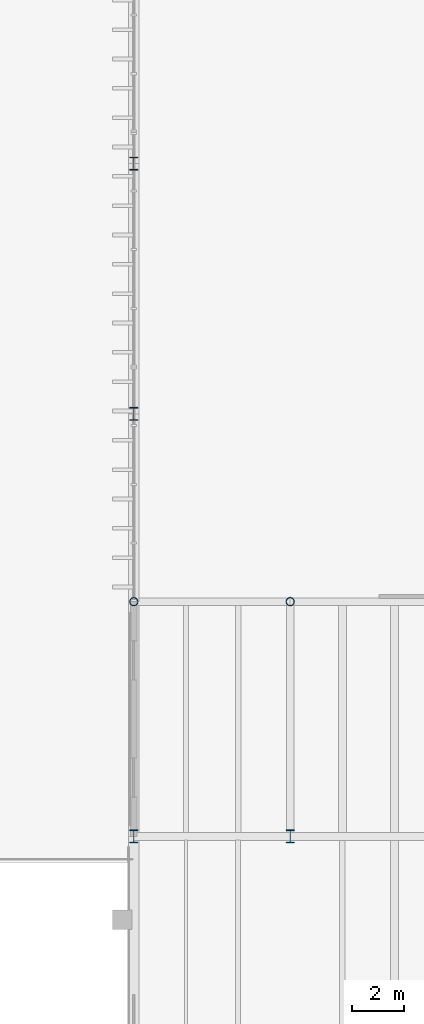
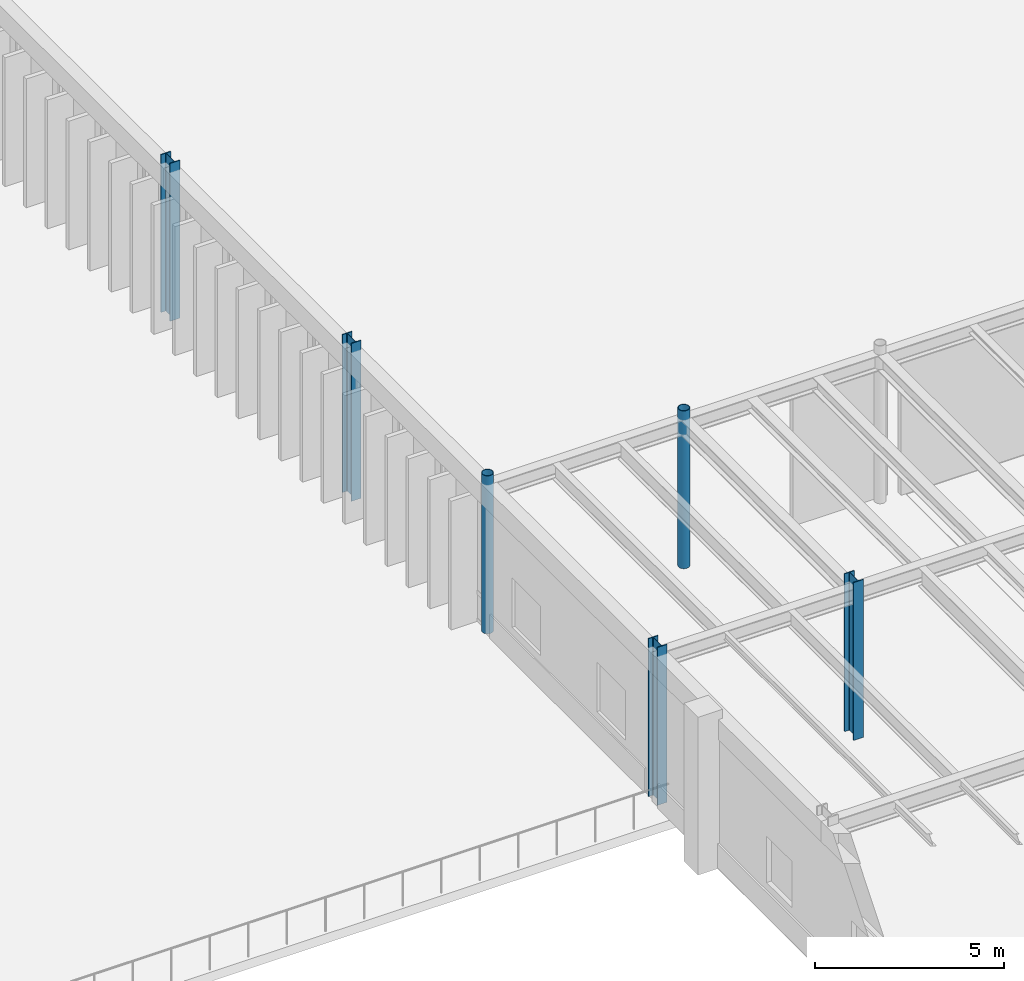
# One storey, part 3 of 64: 6 columns.
"""IFC4 building model written with IfcOpenShell, lengths in metres."""

from ifc_helpers import new_model, si_unit, direction, frame, origin, origin_2d, place, context, subcontext, project, spatial, hollow_circle, i_section, extrude, material, material_profile, profile_set, type_object, element, save


model = new_model("IFC4")

# Units and contexts
model_context = context("Model", 3, precision=1e-05, world=origin(), true_north=direction((0.0, 1.0)))
body_context = subcontext(model_context, "Body", "Model", "MODEL_VIEW")
ifc_project = project(units=[si_unit("LENGTHUNIT", "METRE"), si_unit("AREAUNIT", "SQUARE_METRE"), si_unit("VOLUMEUNIT", "CUBIC_METRE"), si_unit("PLANEANGLEUNIT", "RADIAN"), si_unit("MASSUNIT", "GRAM", prefix="KILO")], contexts=[model_context])

# Site, building, storey
site_placement = place(None, origin())
site = spatial("IfcSite", under=ifc_project, at=site_placement, CompositionType="ELEMENT")
building_placement = place(site_placement, origin())
building = spatial("IfcBuilding", under=site, at=building_placement, Name="Montealbar Specialist Clinic", CompositionType="ELEMENT")
storey_placement = place(building_placement, origin())
storey = spatial("IfcBuildingStorey", under=building, at=storey_placement, Name="L00", CompositionType="ELEMENT", Elevation=0.0)

# Columns
ifc_material = material(Name="Steel S355", Category="steel")
ifc_material_profile_1 = material_profile(ifc_material, hollow_circle(Radius=0.161865234375, WallThickness=0.01611328125, at=origin_2d()), Name="CHS 323.9x16.0", Category="steel")
ifc_profile_set_1 = profile_set([ifc_material_profile_1], Name="Steel S355")
column_type_1 = type_object("IfcColumnType", Name="COL-CHS-HALL", PredefinedType="COLUMN", material=ifc_profile_set_1)
column_1_placement = place(storey_placement, frame((60.0, 45.0, 0.0), z_axis=(0.0, 0.0, 1.0), x_axis=(1.0, 0.0, 0.0)))
element("IfcColumn", 1, at=column_1_placement, inside=storey, type_object=column_type_1, Name="Column 8/F L00", PredefinedType="COLUMN", context=body_context, shape_type="SweptSolid", body=[
    extrude(hollow_circle(Radius=0.161865234375, WallThickness=0.01611328125, at=origin_2d()), origin(), (0.0, 0.0, 1.0), 5.10009765625),
])
ifc_material_profile_2 = material_profile(ifc_material, hollow_circle(Radius=0.161865234375, WallThickness=0.01611328125, at=origin_2d()), Name="CHS 323.9x16.0", Category="steel")
ifc_profile_set_2 = profile_set([ifc_material_profile_2], Name="Steel S355")
column_type_2 = type_object("IfcColumnType", Name="COL-CHS-HALL-EXT", PredefinedType="COLUMN", material=ifc_profile_set_2)
column_2_placement = place(storey_placement, frame((54.0, 45.0, 0.0), z_axis=(0.0, 0.0, 1.0), x_axis=(1.0, 0.0, 0.0)))
element("IfcColumn", 2, at=column_2_placement, inside=storey, type_object=column_type_2, Name="Column 7/F L00", PredefinedType="COLUMN", context=body_context, shape_type="SweptSolid", body=[
    extrude(hollow_circle(Radius=0.161865234375, WallThickness=0.01611328125, at=origin_2d()), origin(), (0.0, 0.0, 1.0), 5.10009765625),
])
ifc_material_profile_3 = material_profile(ifc_material, i_section(OverallWidth=0.300048828125, OverallDepth=0.5, WebThickness=0.014404296875, FlangeThickness=0.028076171875, FilletRadius=0.027099609375, at=origin_2d()), Name="HEB 500", Category="steel")
ifc_profile_set_3 = profile_set([ifc_material_profile_3], Name="Steel S355")
column_type_3 = type_object("IfcColumnType", Name="COL-S-L00-STD", PredefinedType="COLUMN", material=ifc_profile_set_3)
column_3_placement = place(storey_placement, frame((60.0, 36.0, 0.0), z_axis=(0.0, 0.0, 1.0), x_axis=(1.0, 0.0, 0.0)))
element("IfcColumn", 3, at=column_3_placement, inside=storey, type_object=column_type_3, Name="Column 8/E L00", PredefinedType="COLUMN", context=body_context, shape_type="SweptSolid", body=[
    extrude(i_section(OverallWidth=0.300048828125, OverallDepth=0.5, WebThickness=0.014404296875, FlangeThickness=0.028076171875, FilletRadius=0.027099609375, at=origin_2d()), origin(), (0.0, 0.0, 1.0), 5.10009765625),
])
ifc_material_profile_4 = material_profile(ifc_material, i_section(OverallWidth=0.300048828125, OverallDepth=0.5, WebThickness=0.014404296875, FlangeThickness=0.028076171875, FilletRadius=0.027099609375, at=origin_2d()), Name="HEB 500", Category="steel")
ifc_profile_set_4 = profile_set([ifc_material_profile_4], Name="Steel S355")
column_type_4 = type_object("IfcColumnType", Name="COL-S-L00-STD-EXT", PredefinedType="COLUMN", material=ifc_profile_set_4)
for number, where, z_axis, x_axis, name in (
    (4, (54.0, 36.0, 0.0), (0.0, 0.0, 1.0), (1.0, 0.0, 0.0), "Column 7/E L00"),
    (5, (54.0, 52.199951171875, 0.0), (0.0, 0.0, 1.0), (1.0, 0.0, 0.0), "Column 7/G L00"),
    (6, (54.0, 61.800048828125, 0.0), (0.0, 0.0, 1.0), (1.0, 0.0, 0.0), "Column 7/H L00"),
):
    element("IfcColumn", number, at=place(storey_placement, frame(where, z_axis=z_axis, x_axis=x_axis)), inside=storey, type_object=column_type_4, Name=name, PredefinedType="COLUMN", context=body_context, shape_type="SweptSolid", body=[
        extrude(i_section(OverallWidth=0.300048828125, OverallDepth=0.5, WebThickness=0.014404296875, FlangeThickness=0.028076171875, FilletRadius=0.027099609375, at=origin_2d()), origin(), (0.0, 0.0, 1.0), 5.10009765625),
    ])

save(model, "model.ifc")
